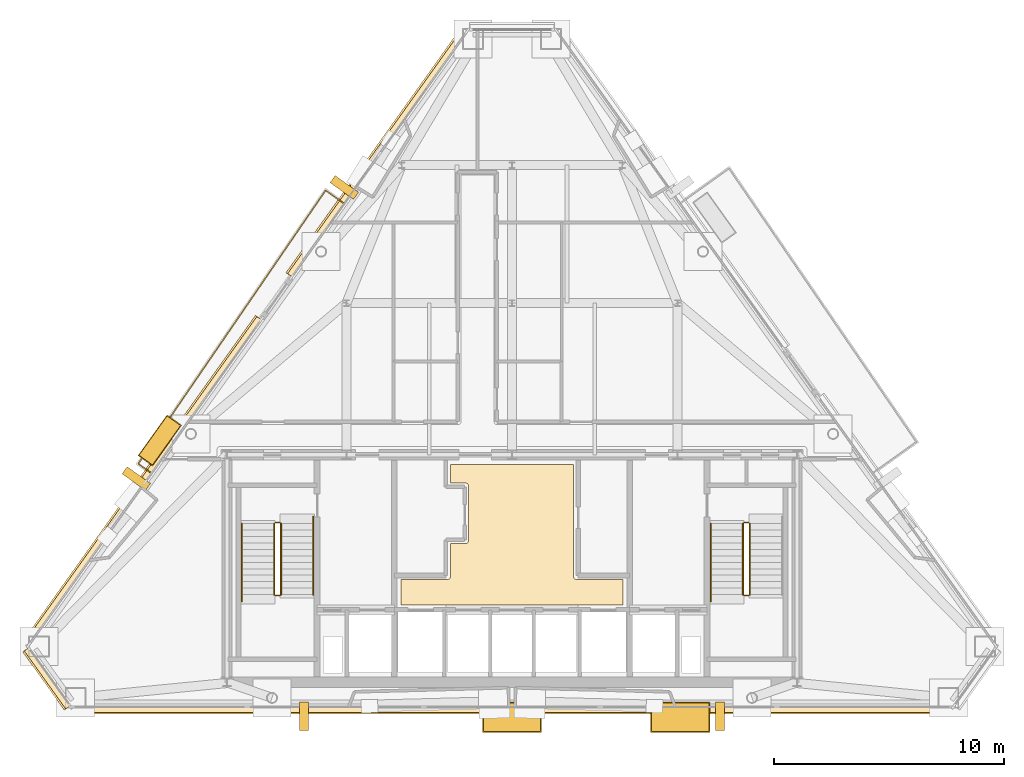
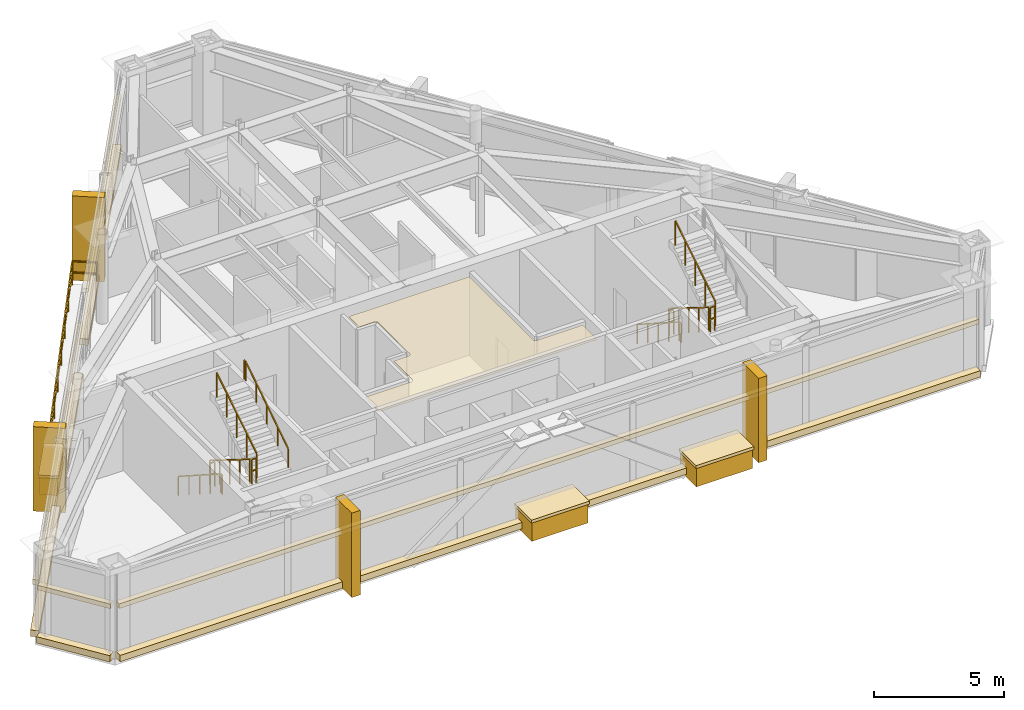
# One storey, part 9 of 10: 19 coverings, 12 railings.
"""IFC4 building model written with IfcOpenShell, lengths in metres."""

from ifc_helpers import new_model, si_unit, direction, frame, origin, origin_2d, place, context, subcontext, project, spatial, polyline, rectangle, outline, extrude, material, layer, layer_set, type_object, element, save


model = new_model("IFC4")

# Units and contexts
model_context = context("Model", 3, precision=1e-05, world=origin(), true_north=direction((0.0, 1.0)))
body_context = subcontext(model_context, "Body", "Model", "MODEL_VIEW")
ifc_project = project(units=[si_unit("LENGTHUNIT", "METRE"), si_unit("AREAUNIT", "SQUARE_METRE"), si_unit("VOLUMEUNIT", "CUBIC_METRE"), si_unit("PLANEANGLEUNIT", "RADIAN"), si_unit("MASSUNIT", "GRAM", prefix="KILO")], contexts=[model_context])

# Site, building, storey
site_placement = place(None, origin())
site = spatial("IfcSite", under=ifc_project, at=site_placement, CompositionType="ELEMENT")
building_placement = place(site_placement, origin())
building = spatial("IfcBuilding", under=site, at=building_placement, Name="Talgorran Terracotta Tower", CompositionType="ELEMENT")
storey_placement = place(building_placement, frame((0.0, 0.0, 289.199951171875)))
storey = spatial("IfcBuildingStorey", under=building, at=storey_placement, Name="L76", CompositionType="ELEMENT", Elevation=289.199951171875)

# Coverings
ifc_material_1 = material(Name="Kiln-Fired Terracotta Ochre Ceramic", Category="masonry")
ifc_layer_1 = layer(ifc_material_1, 0.179931640625, Name="COV_BAGUETTE_TERRACOTTA_SCREEN")
ifc_layer_set_1 = layer_set([ifc_layer_1], Name="Kiln-Fired Terracotta Ochre Ceramic")
covering_type_1 = type_object("IfcCoveringType", Name="COV_BAGUETTE_TERRACOTTA_SCREEN", PredefinedType="CLADDING", material=ifc_layer_set_1)
covering_1_placement = place(storey_placement, frame((-20.2119140625, -13.916748046875, 2.41015625), z_axis=(0.0, 0.0, 1.0), x_axis=(0.581256971997, -0.813720057824, 0.0)))
element("IfcCovering", 1, at=covering_1_placement, inside=storey, type_object=covering_type_1, Name="L76 Terracotta Baguette Solar Screen Assembly F0", PredefinedType="CLADDING", context=body_context, shape_type="SweptSolid", body=[
    extrude(rectangle(XDim=3.093994140625, YDim=0.260009765625, at=origin_2d()), origin(), (0.0, 0.0, 1.0), 0.219970703125),
])
covering_2_placement = place(storey_placement, frame((0.0, -15.2744140625, 2.41015625), z_axis=(0.0, 0.0, 1.0), x_axis=(1.0, 0.0, 0.0)))
element("IfcCovering", 2, at=covering_2_placement, inside=storey, type_object=covering_type_1, Name="L76 Terracotta Baguette Solar Screen Assembly F1", PredefinedType="CLADDING", context=body_context, shape_type="SweptSolid", body=[
    extrude(rectangle(XDim=38.240966796875, YDim=0.260009765625, at=origin_2d()), origin(), (0.0, 0.0, 1.0), 0.219970703125),
])
covering_3_placement = place(storey_placement, frame((-5.853515625, 8.931884765625, 2.41015625), z_axis=(0.0, 0.0, 1.0), x_axis=(-0.581242769814, -0.813730202548, 0.0)))
element("IfcCovering", 3, at=covering_3_placement, inside=storey, type_object=covering_type_1, Name="L76 Terracotta Baguette Solar Screen Assembly F60", PredefinedType="CLADDING", context=body_context, shape_type="SweptSolid", body=[
    extrude(rectangle(XDim=13.091064453125, YDim=0.260009765625, at=origin_2d()), origin(), (0.0, 0.0, 1.0), 0.219970703125),
])
covering_4_placement = place(storey_placement, frame((-16.04150390625, -5.33056640625, 2.41015625), z_axis=(0.0, 0.0, 1.0), x_axis=(-0.581242769814, -0.813730202548, 0.0)))
element("IfcCovering", 4, at=covering_4_placement, inside=storey, type_object=covering_type_1, Name="L76 Terracotta Baguette Solar Screen Assembly F61", PredefinedType="CLADDING", context=body_context, shape_type="SweptSolid", body=[
    extrude(rectangle(XDim=17.363525390625, YDim=0.260009765625, at=origin_2d()), origin(), (0.0, 0.0, 1.0), 0.219970703125),
])
ifc_material_2 = material(Name="Flush Moisture-Resistant Plaster")
ifc_layer_2 = layer(ifc_material_2, 0.01806640625, Name="COV_CEIL_PLASTER")
ifc_layer_set_2 = layer_set([ifc_layer_2], Name="Flush Moisture-Resistant Plaster")
covering_type_2 = type_object("IfcCoveringType", Name="COV_CEIL_PLASTER", PredefinedType="CEILING", material=ifc_layer_set_2)
covering_5_placement = place(storey_placement, frame((0.0, 0.0, 3.830078125)))
element("IfcCovering", 5, at=covering_5_placement, inside=storey, type_object=covering_type_2, Name="CEIL-L76-1", PredefinedType="CEILING", context=body_context, shape_type="SweptSolid", body=[
    extrude(outline(polyline([(2.679931640625, -4.6201171875), (2.679931640625, -9.5), (2.6806640625, -9.51171875), (2.682373046875, -9.5234375), (2.685302734375, -9.534912109375), (2.689208984375, -9.5458984375), (2.694091796875, -9.556640625), (2.7001953125, -9.566650390625), (2.707275390625, -9.576171875), (2.715087890625, -9.5849609375), (2.723876953125, -9.5927734375), (2.7333984375, -9.599853515625), (2.743408203125, -9.605712890625), (2.754150390625, -9.61083984375), (2.76513671875, -9.61474609375), (2.776611328125, -9.61767578125), (2.7880859375, -9.619384765625), (2.800048828125, -9.6201171875), (4.830078125, -9.6201171875), (4.830078125, -10.72998046875), (-4.830078125, -10.72998046875), (-4.830078125, -9.6201171875), (-2.800048828125, -9.6201171875), (-2.7880859375, -9.619384765625), (-2.776611328125, -9.61767578125), (-2.76513671875, -9.61474609375), (-2.754150390625, -9.61083984375), (-2.743408203125, -9.605712890625), (-2.7333984375, -9.599853515625), (-2.723876953125, -9.5927734375), (-2.715087890625, -9.5849609375), (-2.707275390625, -9.576171875), (-2.7001953125, -9.566650390625), (-2.694091796875, -9.556640625), (-2.689208984375, -9.5458984375), (-2.685302734375, -9.534912109375), (-2.682373046875, -9.5234375), (-2.6806640625, -9.51171875), (-2.679931640625, -9.5), (-2.679931640625, -8.070068359375), (-2.02001953125, -8.070068359375), (-2.00830078125, -8.0693359375), (-1.99658203125, -8.067626953125), (-1.985107421875, -8.064697265625), (-1.97412109375, -8.060791015625), (-1.96337890625, -8.055908203125), (-1.953369140625, -8.0498046875), (-1.94384765625, -8.042724609375), (-1.93505859375, -8.034912109375), (-1.92724609375, -8.026123046875), (-1.920166015625, -8.0166015625), (-1.914306640625, -8.006591796875), (-1.9091796875, -7.995849609375), (-1.9052734375, -7.98486328125), (-1.90234375, -7.973388671875), (-1.900634765625, -7.9619140625), (-1.89990234375, -7.949951171875), (-1.89990234375, -5.550048828125), (-1.900634765625, -5.5380859375), (-1.90234375, -5.526611328125), (-1.9052734375, -5.51513671875), (-1.9091796875, -5.504150390625), (-1.914306640625, -5.493408203125), (-1.920166015625, -5.4833984375), (-1.92724609375, -5.473876953125), (-1.93505859375, -5.465087890625), (-1.94384765625, -5.457275390625), (-1.953369140625, -5.4501953125), (-1.96337890625, -5.444091796875), (-1.97412109375, -5.439208984375), (-1.985107421875, -5.435302734375), (-1.99658203125, -5.432373046875), (-2.00830078125, -5.4306640625), (-2.02001953125, -5.429931640625), (-2.679931640625, -5.429931640625), (-2.679931640625, -4.6201171875), (2.679931640625, -4.6201171875)])), origin(), (0.0, 0.0, 1.0), 0.02001953125),
])
ifc_material_3 = material(Name="Honed Limestone and Terracotta Planter", Category="masonry")
ifc_layer_3 = layer(ifc_material_3, 0.1201171875, Name="COV_PLANTER_BOX")
ifc_layer_set_3 = layer_set([ifc_layer_3], Name="Honed Limestone and Terracotta Planter")
covering_type_3 = type_object("IfcCoveringType", Name="COV_PLANTER_BOX", PredefinedType="CLADDING", material=ifc_layer_set_3)
for number, where, z_axis, x_axis, name in (
    (6, (0.0, -15.614501953125, -0.179931640625), (0.0, 0.0, 1.0), (1.0, 0.0, 0.0), "L76 Staggered South Facade Planter Box 1"),
    (7, (7.31591796875, -15.614501953125, -0.179931640625), (0.0, 0.0, 1.0), (1.0, 0.0, 0.0), "L76 Staggered South Facade Planter Box 2"),
):
    element("IfcCovering", number, at=place(storey_placement, frame(where, z_axis=z_axis, x_axis=x_axis)), inside=storey, type_object=covering_type_3, Name=name, PredefinedType="CLADDING", context=body_context, shape_type="SweptSolid", body=[
        extrude(rectangle(XDim=2.5, YDim=1.25, at=origin_2d()), origin(), (0.0, 0.0, 1.0), 0.919921875),
    ])
covering_6_placement = place(storey_placement, frame((-15.322021484375, -3.5751953125, -0.02001953125), z_axis=(0.0, 0.0, 1.0), x_axis=(-0.581256971997, -0.813720057824, 0.0)))
element("IfcCovering", 8, at=covering_6_placement, inside=storey, type_object=covering_type_3, Name="L76 Staggered Balcony Planter Box BAL-NW", PredefinedType="CLADDING", context=body_context, shape_type="SweptSolid", body=[
    extrude(rectangle(XDim=2.10009765625, YDim=0.719970703125, at=origin_2d()), origin(), (0.0, 0.0, 1.0), 0.860107421875),
])
ifc_material_4 = material(Name="Kiln-Fired Terracotta Planter Rim", Category="masonry")
ifc_layer_4 = layer(ifc_material_4, 0.10009765625, Name="COV_PLANTER_RIM")
ifc_layer_set_4 = layer_set([ifc_layer_4], Name="Kiln-Fired Terracotta Planter Rim")
covering_type_4 = type_object("IfcCoveringType", Name="COV_PLANTER_RIM", PredefinedType="CLADDING", material=ifc_layer_set_4)
for number, where, z_axis, x_axis, name in (
    (9, (0.0, -15.614501953125, 0.7099609375), (0.0, 0.0, 1.0), (1.0, 0.0, 0.0), "L76 South Planter Terracotta Rim 1"),
    (10, (7.31591796875, -15.614501953125, 0.7099609375), (0.0, 0.0, 1.0), (1.0, 0.0, 0.0), "L76 South Planter Terracotta Rim 2"),
):
    element("IfcCovering", number, at=place(storey_placement, frame(where, z_axis=z_axis, x_axis=x_axis)), inside=storey, type_object=covering_type_4, Name=name, PredefinedType="CLADDING", context=body_context, shape_type="SweptSolid", body=[
        extrude(rectangle(XDim=2.580078125, YDim=1.320068359375, at=origin_2d()), origin(), (0.0, 0.0, 1.0), 0.139892578125),
    ])
covering_7_placement = place(storey_placement, frame((-15.322021484375, -3.5751953125, 0.800048828125), z_axis=(0.0, 0.0, 1.0), x_axis=(-0.581256971997, -0.813720057824, 0.0)))
element("IfcCovering", 11, at=covering_7_placement, inside=storey, type_object=covering_type_4, Name="L76 Balcony Planter Terracotta Rim BAL-NW", PredefinedType="CLADDING", context=body_context, shape_type="SweptSolid", body=[
    extrude(rectangle(XDim=2.179931640625, YDim=0.780029296875, at=origin_2d()), origin(), (0.0, 0.0, 1.0), 0.1201171875),
])
ifc_material_5 = material(Name="Honed Limestone Cladding", Category="masonry")
ifc_layer_5 = layer(ifc_material_5, 0.094970703125, Name="COV_PORTAL_LIME")
ifc_layer_set_5 = layer_set([ifc_layer_5], Name="Honed Limestone Cladding")
covering_type_5 = type_object("IfcCoveringType", Name="COV_PORTAL_LIME", PredefinedType="CLADDING", material=ifc_layer_set_5)
covering_8_placement = place(storey_placement, frame((-20.244384765625, -13.93994140625, -0.0400390625), z_axis=(0.0, 0.0, 1.0), x_axis=(0.581256971997, -0.813720057824, 0.0)))
element("IfcCovering", 12, at=covering_8_placement, inside=storey, type_object=covering_type_5, Name="L76 Striped Postmodern Portal Cladding Band F0", PredefinedType="CLADDING", context=body_context, shape_type="SweptSolid", body=[
    extrude(rectangle(XDim=3.114013671875, YDim=0.340087890625, at=origin_2d()), origin(), (0.0, 0.0, 1.0), 0.300048828125),
])
covering_9_placement = place(storey_placement, frame((0.0, -15.314453125, -0.0400390625), z_axis=(0.0, 0.0, 1.0), x_axis=(1.0, 0.0, 0.0)))
element("IfcCovering", 13, at=covering_9_placement, inside=storey, type_object=covering_type_5, Name="L76 Striped Postmodern Portal Cladding Band F1", PredefinedType="CLADDING", context=body_context, shape_type="SweptSolid", body=[
    extrude(rectangle(XDim=38.260986328125, YDim=0.340087890625, at=origin_2d()), origin(), (0.0, 0.0, 1.0), 0.300048828125),
])
covering_10_placement = place(storey_placement, frame((-5.88623046875, 8.955078125, -0.0400390625), z_axis=(0.0, 0.0, 1.0), x_axis=(-0.581242769814, -0.813730202548, 0.0)))
element("IfcCovering", 14, at=covering_10_placement, inside=storey, type_object=covering_type_5, Name="L76 Striped Postmodern Portal Cladding Band F60", PredefinedType="CLADDING", context=body_context, shape_type="SweptSolid", body=[
    extrude(rectangle(XDim=13.111083984375, YDim=0.340087890625, at=origin_2d()), origin(), (0.0, 0.0, 1.0), 0.300048828125),
])
covering_11_placement = place(storey_placement, frame((-16.073974609375, -5.307373046875, -0.0400390625), z_axis=(0.0, 0.0, 1.0), x_axis=(-0.581242769814, -0.813730202548, 0.0)))
element("IfcCovering", 15, at=covering_11_placement, inside=storey, type_object=covering_type_5, Name="L76 Striped Postmodern Portal Cladding Band F61", PredefinedType="CLADDING", context=body_context, shape_type="SweptSolid", body=[
    extrude(rectangle(XDim=17.383544921875, YDim=0.340087890625, at=origin_2d()), origin(), (0.0, 0.0, 1.0), 0.300048828125),
])
for number, where, z_axis, x_axis, name in (
    (16, (9.048583984375, -15.574462890625, -0.0498046875), (0.0, 0.0, 1.0), (1.0, 0.0, 0.0), "L76 White Striped Portal Fin F1-2"),
    (17, (-16.34375, -5.23779296875, -0.0498046875), (0.0, 0.0, 1.0), (-0.581256971997, -0.813720057824, 0.0), "L76 White Striped Portal Fin F5-2"),
):
    element("IfcCovering", number, at=place(storey_placement, frame(where, z_axis=z_axis, x_axis=x_axis)), inside=storey, type_object=covering_type_5, Name=name, PredefinedType="CLADDING", context=body_context, shape_type="SweptSolid", body=[
        extrude(rectangle(XDim=0.3798828125, YDim=1.25, at=origin_2d()), origin(), (0.0, 0.0, 1.0), 3.969970703125),
    ])
ifc_material_6 = material(Name="Kiln-Fired Terracotta Cladding", Category="masonry")
ifc_layer_6 = layer(ifc_material_6, 0.090087890625, Name="COV_PORTAL_TERRA")
ifc_layer_set_6 = layer_set([ifc_layer_6], Name="Kiln-Fired Terracotta Cladding")
covering_type_6 = type_object("IfcCoveringType", Name="COV_PORTAL_TERRA", PredefinedType="CLADDING", material=ifc_layer_set_6)
for number, where, z_axis, x_axis, name in (
    (18, (-9.048583984375, -15.574462890625, -0.0498046875), (0.0, 0.0, 1.0), (1.0, 0.0, 0.0), "L76 Terracotta Striped Portal Fin F1-1"),
    (19, (-7.295166015625, 7.429931640625, -0.0498046875), (0.0, 0.0, 1.0), (-0.581256971997, -0.813720057824, 0.0), "L76 Terracotta Striped Portal Fin F5-1"),
):
    element("IfcCovering", number, at=place(storey_placement, frame(where, z_axis=z_axis, x_axis=x_axis)), inside=storey, type_object=covering_type_6, Name=name, PredefinedType="CLADDING", context=body_context, shape_type="SweptSolid", body=[
        extrude(rectangle(XDim=0.3798828125, YDim=1.25, at=origin_2d()), origin(), (0.0, 0.0, 1.0), 3.969970703125),
    ])

# Railings
ifc_material_7 = material(Name="Laminated Glass and Stainless Steel 316", Category="steel")
railing_type_1 = type_object("IfcRailingType", Name="RL_BALCONY_1150", PredefinedType="BALUSTRADE", material=ifc_material_7)
railing_1_placement = place(storey_placement, frame((-7.3212890625, 6.739501953125, 0.0)))
element("IfcRailing", 20, at=railing_1_placement, inside=storey, type_object=railing_type_1, Name="RL-L76-BAL-BAL-NW", PredefinedType="BALUSTRADE", context=body_context, shape_type="SweptSolid", body=[
    extrude(rectangle(XDim=0.048095703125, YDim=0.048095703125, at=origin_2d()), frame((0.0, 0.0, 1.1259765625), z_axis=(-0.813682325233, 0.581309791422, 0.0), x_axis=(-0.581309791422, -0.813682325233, 0.0)), (0.0, 0.0, 1.0), 0.967529296875),
    extrude(rectangle(XDim=0.048095703125, YDim=0.048095703125, at=origin_2d()), frame((0.0, 0.0, 0.597900390625), z_axis=(-0.813682325233, 0.581309791422, 0.0), x_axis=(-0.581309791422, -0.813682325233, 0.0)), (0.0, 0.0, 1.0), 0.967529296875),
    extrude(rectangle(XDim=0.048095703125, YDim=0.048095703125, at=origin_2d()), frame((-0.787353515625, 0.5625, 1.1259765625), z_axis=(-0.565184061271, -0.824964833726, 0.0), x_axis=(0.824964833726, -0.565184061271, 0.0)), (0.0, 0.0, 1.0), 14.41650390625),
    extrude(rectangle(XDim=0.048095703125, YDim=0.048095703125, at=origin_2d()), frame((-0.787353515625, 0.5625, 0.597900390625), z_axis=(-0.565184061271, -0.824964833726, 0.0), x_axis=(0.824964833726, -0.565184061271, 0.0)), (0.0, 0.0, 1.0), 14.41650390625),
    extrude(rectangle(XDim=0.048095703125, YDim=0.048095703125, at=origin_2d()), frame((-8.935302734375, -11.33056640625, 1.1259765625), z_axis=(0.813685304824, -0.581305620748, 0.0), x_axis=(0.581305620748, 0.813685304824, 0.0)), (0.0, 0.0, 1.0), 0.68505859375),
    extrude(rectangle(XDim=0.048095703125, YDim=0.048095703125, at=origin_2d()), frame((-8.935302734375, -11.33056640625, 0.597900390625), z_axis=(0.813685304824, -0.581305620748, 0.0), x_axis=(0.581305620748, 0.813685304824, 0.0)), (0.0, 0.0, 1.0), 0.68505859375),
    extrude(rectangle(XDim=0.0419921875, YDim=0.0419921875, at=origin_2d()), origin(), (0.0, 0.0, 1.0), 1.101806640625),
    extrude(rectangle(XDim=0.0419921875, YDim=0.0419921875, at=origin_2d()), frame((-0.787353515625, 0.5625, 0.0)), (0.0, 0.0, 1.0), 1.101806640625),
    extrude(rectangle(XDim=0.0419921875, YDim=0.0419921875, at=origin_2d()), frame((-1.805908203125, -0.924072265625, 0.0)), (0.0, 0.0, 1.0), 1.101806640625),
    extrude(rectangle(XDim=0.0419921875, YDim=0.0419921875, at=origin_2d()), frame((-2.82421875, -2.41064453125, 0.0)), (0.0, 0.0, 1.0), 1.101806640625),
    extrude(rectangle(XDim=0.0419921875, YDim=0.0419921875, at=origin_2d()), frame((-3.8427734375, -3.8974609375, 0.0)), (0.0, 0.0, 1.0), 1.101806640625),
    extrude(rectangle(XDim=0.0419921875, YDim=0.0419921875, at=origin_2d()), frame((-4.861328125, -5.384033203125, 0.0)), (0.0, 0.0, 1.0), 1.101806640625),
    extrude(rectangle(XDim=0.0419921875, YDim=0.0419921875, at=origin_2d()), frame((-5.8798828125, -6.87060546875, 0.0)), (0.0, 0.0, 1.0), 1.101806640625),
    extrude(rectangle(XDim=0.0419921875, YDim=0.0419921875, at=origin_2d()), frame((-6.8984375, -8.357421875, 0.0)), (0.0, 0.0, 1.0), 1.101806640625),
    extrude(rectangle(XDim=0.0419921875, YDim=0.0419921875, at=origin_2d()), frame((-7.916748046875, -9.843994140625, 0.0)), (0.0, 0.0, 1.0), 1.101806640625),
    extrude(rectangle(XDim=0.0419921875, YDim=0.0419921875, at=origin_2d()), frame((-8.935302734375, -11.33056640625, 0.0)), (0.0, 0.0, 1.0), 1.101806640625),
    extrude(rectangle(XDim=0.0419921875, YDim=0.0419921875, at=origin_2d()), frame((-8.3779296875, -11.728759765625, 0.0)), (0.0, 0.0, 1.0), 1.101806640625),
])
ifc_material_8 = material(Name="Steel S355 (300PLUS)", Category="steel")
railing_type_2 = type_object("IfcRailingType", Name="RL_HANDRAIL_920", PredefinedType="HANDRAIL", material=ifc_material_8)
railing_2_placement = place(storey_placement, frame((-11.75, -7.199951171875, 0.175048828125)))
element("IfcRailing", 21, at=railing_2_placement, inside=storey, type_object=railing_type_2, Name="L76 ST-01 stair handrail 1", PredefinedType="HANDRAIL", context=body_context, shape_type="SweptSolid", body=[
    extrude(rectangle(XDim=0.048095703125, YDim=0.048095703125, at=origin_2d()), frame((0.0, 0.0, 0.89599609375), z_axis=(0.0, -0.84066466721, 0.541556014928), x_axis=(1.0, 0.0, 0.0)), (0.0, 0.0, 1.0), 3.8779296875),
    extrude(rectangle(XDim=0.048095703125, YDim=0.048095703125, at=origin_2d()), frame((0.0, -3.260009765625, 2.99609375), z_axis=(0.0, -1.0, 0.0), x_axis=(1.0, 0.0, 0.0)), (0.0, 0.0, 1.0), 0.1201171875),
    extrude(rectangle(XDim=0.0419921875, YDim=0.0419921875, at=origin_2d()), origin(), (0.0, 0.0, 1.0), 0.871826171875),
    extrude(rectangle(XDim=0.0419921875, YDim=0.0419921875, at=origin_2d()), frame((0.0, -0.81494140625, 0.52490234375)), (0.0, 0.0, 1.0), 0.871826171875),
    extrude(rectangle(XDim=0.0419921875, YDim=0.0419921875, at=origin_2d()), frame((0.0, -1.6298828125, 1.050048828125)), (0.0, 0.0, 1.0), 0.871826171875),
    extrude(rectangle(XDim=0.0419921875, YDim=0.0419921875, at=origin_2d()), frame((0.0, -2.445068359375, 1.5751953125)), (0.0, 0.0, 1.0), 0.871826171875),
    extrude(rectangle(XDim=0.0419921875, YDim=0.0419921875, at=origin_2d()), frame((0.0, -3.260009765625, 2.10009765625)), (0.0, 0.0, 1.0), 0.871826171875),
    extrude(rectangle(XDim=0.0419921875, YDim=0.0419921875, at=origin_2d()), frame((0.0, -3.380126953125, 2.10009765625)), (0.0, 0.0, 1.0), 0.871826171875),
])
railing_3_placement = place(storey_placement, frame((-8.64990234375, -10.280029296875, 2.275146484375)))
element("IfcRailing", 22, at=railing_3_placement, inside=storey, type_object=railing_type_2, Name="L76 ST-01 stair handrail 2", PredefinedType="HANDRAIL", context=body_context, shape_type="SweptSolid", body=[
    extrude(rectangle(XDim=0.048095703125, YDim=0.048095703125, at=origin_2d()), frame((0.0, 0.0, 0.89599609375), z_axis=(0.0, 0.840693329249, 0.541511519874), x_axis=(-1.0, 0.0, 0.0)), (0.0, 0.0, 1.0), 3.877685546875),
    extrude(rectangle(XDim=0.048095703125, YDim=0.048095703125, at=origin_2d()), frame((0.0, 3.260009765625, 2.99560546875), z_axis=(0.0, 1.0, 0.0), x_axis=(-1.0, 0.0, 0.0)), (0.0, 0.0, 1.0), 0.1201171875),
    extrude(rectangle(XDim=0.0419921875, YDim=0.0419921875, at=origin_2d()), origin(), (0.0, 0.0, 1.0), 0.871826171875),
    extrude(rectangle(XDim=0.0419921875, YDim=0.0419921875, at=origin_2d()), frame((0.0, 0.81494140625, 0.52490234375)), (0.0, 0.0, 1.0), 0.871826171875),
    extrude(rectangle(XDim=0.0419921875, YDim=0.0419921875, at=origin_2d()), frame((0.0, 1.6298828125, 1.0498046875)), (0.0, 0.0, 1.0), 0.871826171875),
    extrude(rectangle(XDim=0.0419921875, YDim=0.0419921875, at=origin_2d()), frame((0.0, 2.445068359375, 1.574951171875)), (0.0, 0.0, 1.0), 0.871826171875),
    extrude(rectangle(XDim=0.0419921875, YDim=0.0419921875, at=origin_2d()), frame((0.0, 3.260009765625, 2.099853515625)), (0.0, 0.0, 1.0), 0.871826171875),
    extrude(rectangle(XDim=0.0419921875, YDim=0.0419921875, at=origin_2d()), frame((0.0, 3.380126953125, 2.099853515625)), (0.0, 0.0, 1.0), 0.871826171875),
])
railing_4_placement = place(storey_placement, frame((8.64990234375, -7.199951171875, 0.175048828125)))
element("IfcRailing", 23, at=railing_4_placement, inside=storey, type_object=railing_type_2, Name="L76 ST-02 stair handrail 1", PredefinedType="HANDRAIL", context=body_context, shape_type="SweptSolid", body=[
    extrude(rectangle(XDim=0.048095703125, YDim=0.048095703125, at=origin_2d()), frame((0.0, 0.0, 0.89599609375), z_axis=(0.0, -0.84066466721, 0.541556014928), x_axis=(1.0, 0.0, 0.0)), (0.0, 0.0, 1.0), 3.8779296875),
    extrude(rectangle(XDim=0.048095703125, YDim=0.048095703125, at=origin_2d()), frame((0.0, -3.260009765625, 2.99609375), z_axis=(0.0, -1.0, 0.0), x_axis=(1.0, 0.0, 0.0)), (0.0, 0.0, 1.0), 0.1201171875),
    extrude(rectangle(XDim=0.0419921875, YDim=0.0419921875, at=origin_2d()), origin(), (0.0, 0.0, 1.0), 0.871826171875),
    extrude(rectangle(XDim=0.0419921875, YDim=0.0419921875, at=origin_2d()), frame((0.0, -0.81494140625, 0.52490234375)), (0.0, 0.0, 1.0), 0.871826171875),
    extrude(rectangle(XDim=0.0419921875, YDim=0.0419921875, at=origin_2d()), frame((0.0, -1.6298828125, 1.050048828125)), (0.0, 0.0, 1.0), 0.871826171875),
    extrude(rectangle(XDim=0.0419921875, YDim=0.0419921875, at=origin_2d()), frame((0.0, -2.445068359375, 1.5751953125)), (0.0, 0.0, 1.0), 0.871826171875),
    extrude(rectangle(XDim=0.0419921875, YDim=0.0419921875, at=origin_2d()), frame((0.0, -3.260009765625, 2.10009765625)), (0.0, 0.0, 1.0), 0.871826171875),
    extrude(rectangle(XDim=0.0419921875, YDim=0.0419921875, at=origin_2d()), frame((0.0, -3.380126953125, 2.10009765625)), (0.0, 0.0, 1.0), 0.871826171875),
])
railing_type_3 = type_object("IfcRailingType", Name="RL_STAIR_GUARD", PredefinedType="GUARDRAIL", material=ifc_material_8)
railing_5_placement = place(storey_placement, frame((-10.35009765625, -7.199951171875, 0.175048828125)))
element("IfcRailing", 24, at=railing_5_placement, inside=storey, type_object=railing_type_3, Name="L76 ST-01 stair guard 1", PredefinedType="GUARDRAIL", context=body_context, shape_type="SweptSolid", body=[
    extrude(rectangle(XDim=0.048095703125, YDim=0.048095703125, at=origin_2d()), frame((0.0, 0.0, 1.15576171875), z_axis=(0.0, -0.847998304005, 0.529998940003), x_axis=(1.0, 0.0, 0.0)), (0.0, 0.0, 1.0), 3.632080078125),
    extrude(rectangle(XDim=0.0419921875, YDim=0.0419921875, at=origin_2d()), origin(), (0.0, 0.0, 1.0), 1.1318359375),
    extrude(rectangle(XDim=0.0419921875, YDim=0.0419921875, at=origin_2d()), frame((0.0, -0.77001953125, 0.481201171875)), (0.0, 0.0, 1.0), 1.1318359375),
    extrude(rectangle(XDim=0.0419921875, YDim=0.0419921875, at=origin_2d()), frame((0.0, -1.5400390625, 0.96240234375)), (0.0, 0.0, 1.0), 1.1318359375),
    extrude(rectangle(XDim=0.0419921875, YDim=0.0419921875, at=origin_2d()), frame((0.0, -2.31005859375, 1.44384765625)), (0.0, 0.0, 1.0), 1.1318359375),
    extrude(rectangle(XDim=0.0419921875, YDim=0.0419921875, at=origin_2d()), frame((0.0, -3.080078125, 1.925048828125)), (0.0, 0.0, 1.0), 1.1318359375),
])
railing_6_placement = place(storey_placement, frame((-10.300048828125, -10.330078125, 2.10009765625)))
element("IfcRailing", 25, at=railing_6_placement, inside=storey, type_object=railing_type_3, Name="L76 ST-01 stair guard 2", PredefinedType="GUARDRAIL", context=body_context, shape_type="SweptSolid", body=[
    extrude(rectangle(XDim=0.048095703125, YDim=0.048095703125, at=origin_2d()), frame((0.0, 0.0, 1.15576171875), z_axis=(1.0, 0.0, 0.0), x_axis=(0.0, 1.0, 0.0)), (0.0, 0.0, 1.0), 0.199951171875),
    extrude(rectangle(XDim=0.048095703125, YDim=0.048095703125, at=origin_2d()), frame((0.0, 0.0, 0.613525390625), z_axis=(1.0, 0.0, 0.0), x_axis=(0.0, 1.0, 0.0)), (0.0, 0.0, 1.0), 0.199951171875),
    extrude(rectangle(XDim=0.0419921875, YDim=0.0419921875, at=origin_2d()), origin(), (0.0, 0.0, 1.0), 1.1318359375),
    extrude(rectangle(XDim=0.0419921875, YDim=0.0419921875, at=origin_2d()), frame((0.199951171875, 0.0, 0.0)), (0.0, 0.0, 1.0), 1.1318359375),
])
railing_7_placement = place(storey_placement, frame((-10.050048828125, -10.280029296875, 2.275146484375)))
element("IfcRailing", 26, at=railing_7_placement, inside=storey, type_object=railing_type_3, Name="L76 ST-01 stair guard 3", PredefinedType="GUARDRAIL", context=body_context, shape_type="SweptSolid", body=[
    extrude(rectangle(XDim=0.048095703125, YDim=0.048095703125, at=origin_2d()), frame((0.0, 0.0, 1.15576171875), z_axis=(0.0, 0.848028513186, 0.529950602248), x_axis=(-1.0, 0.0, 0.0)), (0.0, 0.0, 1.0), 3.632080078125),
    extrude(rectangle(XDim=0.0419921875, YDim=0.0419921875, at=origin_2d()), origin(), (0.0, 0.0, 1.0), 1.1318359375),
    extrude(rectangle(XDim=0.0419921875, YDim=0.0419921875, at=origin_2d()), frame((0.0, 0.77001953125, 0.481201171875)), (0.0, 0.0, 1.0), 1.1318359375),
    extrude(rectangle(XDim=0.0419921875, YDim=0.0419921875, at=origin_2d()), frame((0.0, 1.5400390625, 0.96240234375)), (0.0, 0.0, 1.0), 1.1318359375),
    extrude(rectangle(XDim=0.0419921875, YDim=0.0419921875, at=origin_2d()), frame((0.0, 2.31005859375, 1.443603515625)), (0.0, 0.0, 1.0), 1.1318359375),
    extrude(rectangle(XDim=0.0419921875, YDim=0.0419921875, at=origin_2d()), frame((0.0, 3.080078125, 1.9248046875)), (0.0, 0.0, 1.0), 1.1318359375),
])
railing_8_placement = place(storey_placement, frame((-10.300048828125, -7.14990234375, 0.0)))
element("IfcRailing", 27, at=railing_8_placement, inside=storey, type_object=railing_type_3, Name="L76 ST-01 stair guard 4", PredefinedType="GUARDRAIL", context=body_context, shape_type="SweptSolid", body=[
    extrude(rectangle(XDim=0.048095703125, YDim=0.048095703125, at=origin_2d()), frame((0.0, 0.0, 1.15576171875), z_axis=(1.0, 0.0, 0.0), x_axis=(0.0, 1.0, 0.0)), (0.0, 0.0, 1.0), 0.199951171875),
    extrude(rectangle(XDim=0.048095703125, YDim=0.048095703125, at=origin_2d()), frame((0.0, 0.0, 0.613525390625), z_axis=(1.0, 0.0, 0.0), x_axis=(0.0, 1.0, 0.0)), (0.0, 0.0, 1.0), 0.199951171875),
    extrude(rectangle(XDim=0.0419921875, YDim=0.0419921875, at=origin_2d()), origin(), (0.0, 0.0, 1.0), 1.1318359375),
    extrude(rectangle(XDim=0.0419921875, YDim=0.0419921875, at=origin_2d()), frame((0.199951171875, 0.0, 0.0)), (0.0, 0.0, 1.0), 1.1318359375),
])
railing_9_placement = place(storey_placement, frame((10.050048828125, -7.199951171875, 0.175048828125)))
element("IfcRailing", 28, at=railing_9_placement, inside=storey, type_object=railing_type_3, Name="L76 ST-02 stair guard 1", PredefinedType="GUARDRAIL", context=body_context, shape_type="SweptSolid", body=[
    extrude(rectangle(XDim=0.048095703125, YDim=0.048095703125, at=origin_2d()), frame((0.0, 0.0, 1.15576171875), z_axis=(0.0, -0.847998304005, 0.529998940003), x_axis=(1.0, 0.0, 0.0)), (0.0, 0.0, 1.0), 3.632080078125),
    extrude(rectangle(XDim=0.0419921875, YDim=0.0419921875, at=origin_2d()), origin(), (0.0, 0.0, 1.0), 1.1318359375),
    extrude(rectangle(XDim=0.0419921875, YDim=0.0419921875, at=origin_2d()), frame((0.0, -0.77001953125, 0.481201171875)), (0.0, 0.0, 1.0), 1.1318359375),
    extrude(rectangle(XDim=0.0419921875, YDim=0.0419921875, at=origin_2d()), frame((0.0, -1.5400390625, 0.96240234375)), (0.0, 0.0, 1.0), 1.1318359375),
    extrude(rectangle(XDim=0.0419921875, YDim=0.0419921875, at=origin_2d()), frame((0.0, -2.31005859375, 1.44384765625)), (0.0, 0.0, 1.0), 1.1318359375),
    extrude(rectangle(XDim=0.0419921875, YDim=0.0419921875, at=origin_2d()), frame((0.0, -3.080078125, 1.925048828125)), (0.0, 0.0, 1.0), 1.1318359375),
])
railing_10_placement = place(storey_placement, frame((10.10009765625, -10.330078125, 2.10009765625)))
element("IfcRailing", 29, at=railing_10_placement, inside=storey, type_object=railing_type_3, Name="L76 ST-02 stair guard 2", PredefinedType="GUARDRAIL", context=body_context, shape_type="SweptSolid", body=[
    extrude(rectangle(XDim=0.048095703125, YDim=0.048095703125, at=origin_2d()), frame((0.0, 0.0, 1.15576171875), z_axis=(1.0, 0.0, 0.0), x_axis=(0.0, 1.0, 0.0)), (0.0, 0.0, 1.0), 0.199951171875),
    extrude(rectangle(XDim=0.048095703125, YDim=0.048095703125, at=origin_2d()), frame((0.0, 0.0, 0.613525390625), z_axis=(1.0, 0.0, 0.0), x_axis=(0.0, 1.0, 0.0)), (0.0, 0.0, 1.0), 0.199951171875),
    extrude(rectangle(XDim=0.0419921875, YDim=0.0419921875, at=origin_2d()), origin(), (0.0, 0.0, 1.0), 1.1318359375),
    extrude(rectangle(XDim=0.0419921875, YDim=0.0419921875, at=origin_2d()), frame((0.199951171875, 0.0, 0.0)), (0.0, 0.0, 1.0), 1.1318359375),
])
railing_11_placement = place(storey_placement, frame((10.35009765625, -10.280029296875, 2.275146484375)))
element("IfcRailing", 30, at=railing_11_placement, inside=storey, type_object=railing_type_3, Name="L76 ST-02 stair guard 3", PredefinedType="GUARDRAIL", context=body_context, shape_type="SweptSolid", body=[
    extrude(rectangle(XDim=0.048095703125, YDim=0.048095703125, at=origin_2d()), frame((0.0, 0.0, 1.15576171875), z_axis=(0.0, 0.848028513186, 0.529950602248), x_axis=(-1.0, 0.0, 0.0)), (0.0, 0.0, 1.0), 3.632080078125),
    extrude(rectangle(XDim=0.0419921875, YDim=0.0419921875, at=origin_2d()), origin(), (0.0, 0.0, 1.0), 1.1318359375),
    extrude(rectangle(XDim=0.0419921875, YDim=0.0419921875, at=origin_2d()), frame((0.0, 0.77001953125, 0.481201171875)), (0.0, 0.0, 1.0), 1.1318359375),
    extrude(rectangle(XDim=0.0419921875, YDim=0.0419921875, at=origin_2d()), frame((0.0, 1.5400390625, 0.96240234375)), (0.0, 0.0, 1.0), 1.1318359375),
    extrude(rectangle(XDim=0.0419921875, YDim=0.0419921875, at=origin_2d()), frame((0.0, 2.31005859375, 1.443603515625)), (0.0, 0.0, 1.0), 1.1318359375),
    extrude(rectangle(XDim=0.0419921875, YDim=0.0419921875, at=origin_2d()), frame((0.0, 3.080078125, 1.9248046875)), (0.0, 0.0, 1.0), 1.1318359375),
])
railing_12_placement = place(storey_placement, frame((10.10009765625, -7.14990234375, 0.0)))
element("IfcRailing", 31, at=railing_12_placement, inside=storey, type_object=railing_type_3, Name="L76 ST-02 stair guard 4", PredefinedType="GUARDRAIL", context=body_context, shape_type="SweptSolid", body=[
    extrude(rectangle(XDim=0.048095703125, YDim=0.048095703125, at=origin_2d()), frame((0.0, 0.0, 1.15576171875), z_axis=(1.0, 0.0, 0.0), x_axis=(0.0, 1.0, 0.0)), (0.0, 0.0, 1.0), 0.199951171875),
    extrude(rectangle(XDim=0.048095703125, YDim=0.048095703125, at=origin_2d()), frame((0.0, 0.0, 0.613525390625), z_axis=(1.0, 0.0, 0.0), x_axis=(0.0, 1.0, 0.0)), (0.0, 0.0, 1.0), 0.199951171875),
    extrude(rectangle(XDim=0.0419921875, YDim=0.0419921875, at=origin_2d()), origin(), (0.0, 0.0, 1.0), 1.1318359375),
    extrude(rectangle(XDim=0.0419921875, YDim=0.0419921875, at=origin_2d()), frame((0.199951171875, 0.0, 0.0)), (0.0, 0.0, 1.0), 1.1318359375),
])

save(model, "model.ifc")
